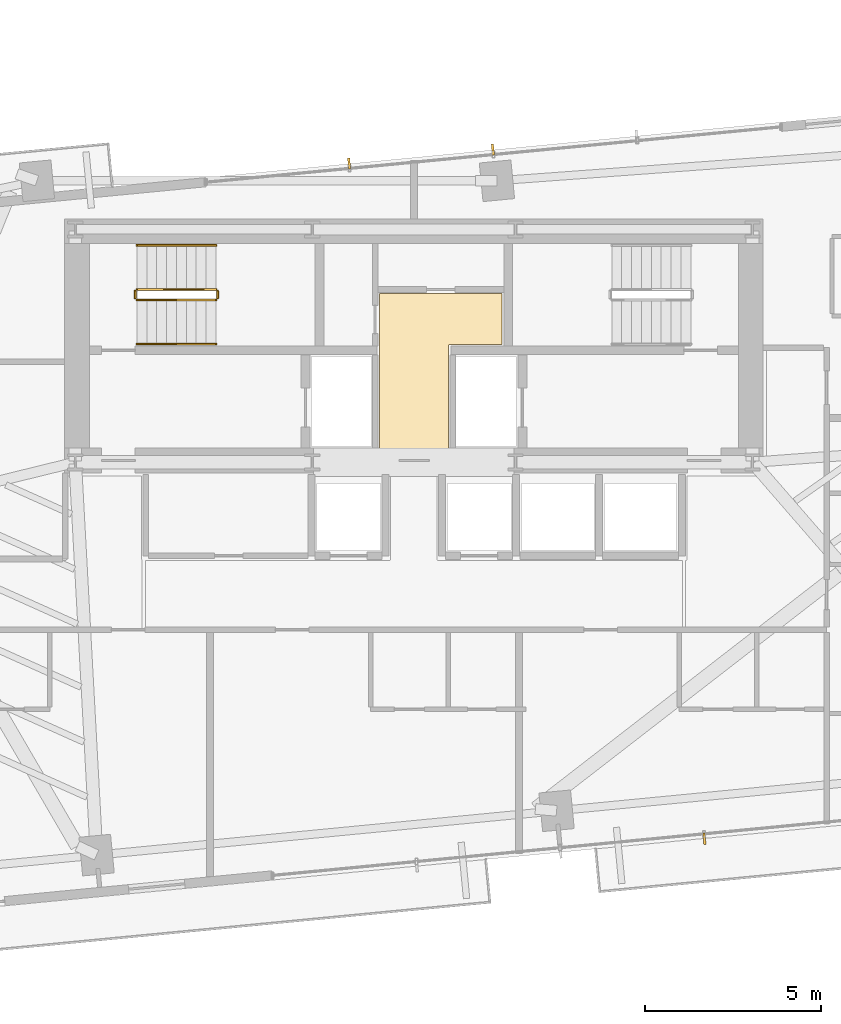
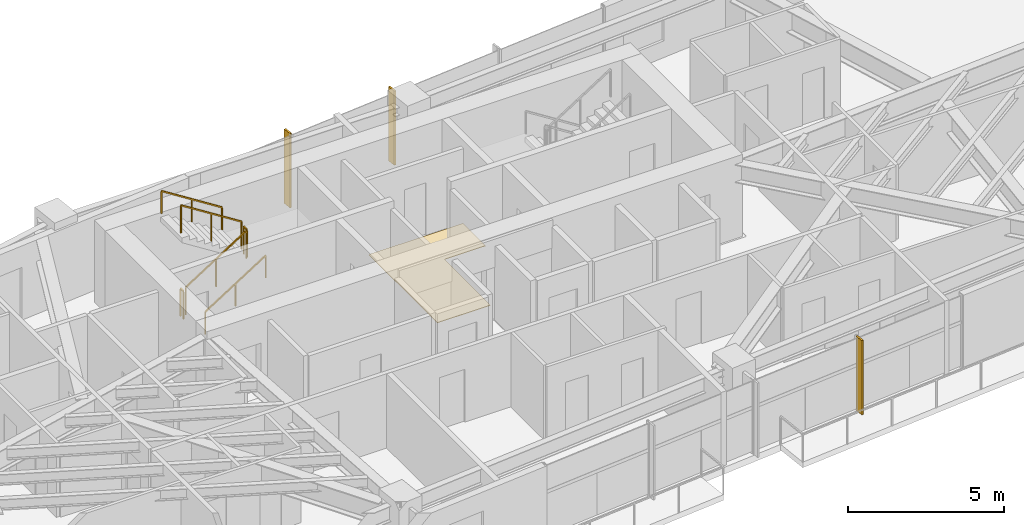
# One storey, part 26 of 27: 6 railings, 3 shading devices, 1 covering.
"""IFC4 building model written with IfcOpenShell, lengths in metres."""

from ifc_helpers import new_model, si_unit, direction, frame, origin, origin_2d, place, context, subcontext, project, spatial, polyline, rectangle, outline, extrude, source, transform, mapped, material, layer, layer_set, type_object, type_shapes, element, save


model = new_model("IFC4")

# Units and contexts
model_context = context("Model", 3, precision=1e-05, world=origin(), true_north=direction((0.0, 1.0)))
body_context = subcontext(model_context, "Body", "Model", "MODEL_VIEW")
ifc_project = project(units=[si_unit("LENGTHUNIT", "METRE"), si_unit("AREAUNIT", "SQUARE_METRE"), si_unit("VOLUMEUNIT", "CUBIC_METRE"), si_unit("PLANEANGLEUNIT", "RADIAN"), si_unit("MASSUNIT", "GRAM", prefix="KILO")], contexts=[model_context])

# Site, building, storey
site_placement = place(None, origin())
site = spatial("IfcSite", under=ifc_project, at=site_placement, CompositionType="ELEMENT")
building_placement = place(site_placement, origin())
building = spatial("IfcBuilding", under=site, at=building_placement, Name="Astriad Promenade Condominiums", CompositionType="ELEMENT")
storey_placement = place(building_placement, frame((0.0, 0.0, 116.199951171875)))
storey = spatial("IfcBuildingStorey", under=building, at=storey_placement, Name="L33", CompositionType="ELEMENT", Elevation=116.199951171875)

# Covering
ifc_material_1 = material(Name="Polished Lakefront Terrazzo Flooring")
ifc_layer = layer(ifc_material_1, 0.02001953125)
ifc_layer_set = layer_set([ifc_layer], Name="Polished Lakefront Terrazzo Flooring")
covering_type = type_object("IfcCoveringType", Name="COV-FLOR-TERRAZZO-20", PredefinedType="FLOORING", material=ifc_layer_set)
covering_placement = place(storey_placement, origin())
element("IfcCovering", 1, at=covering_placement, inside=storey, type_object=covering_type, Name="FLR-L33-CSL", PredefinedType="FLOORING", context=body_context, shape_type="SweptSolid", body=[
    extrude(outline(polyline([(36.97998046875, 20.699951171875), (36.97998046875, 17.7900390625), (35.02001953125, 17.7900390625), (35.02001953125, 22.179931640625), (38.5, 22.179931640625), (38.5, 20.739990234375), (37.02001953125, 20.739990234375), (37.01611328125, 20.73974609375), (37.01220703125, 20.7392578125), (37.00830078125, 20.73828125), (37.004638671875, 20.737060546875), (37.001220703125, 20.7353515625), (36.997802734375, 20.7333984375), (36.99462890625, 20.73095703125), (36.99169921875, 20.728271484375), (36.989013671875, 20.725341796875), (36.98681640625, 20.72216796875), (36.984619140625, 20.718994140625), (36.98291015625, 20.71533203125), (36.981689453125, 20.711669921875), (36.980712890625, 20.707763671875), (36.980224609375, 20.703857421875), (36.97998046875, 20.699951171875)])), origin(), (0.0, 0.0, 1.0), 0.02001953125),
])

# Shading devices
ifc_material_2 = material(Name="Anodised aluminium 6063-T6 Black Fin", Category="aluminium")
shading_device_type = type_object("IfcShadingDeviceType", Name="FIN-BLACK-320", PredefinedType="USERDEFINED", material=ifc_material_2)
shared_shape_1 = source(origin(), body_context, "Body", "SweptSolid", [
    extrude(rectangle(XDim=0.06494140625, YDim=0.320068359375, at=origin_2d()), origin(), (0.0, 0.0, 1.0), 2.89990234375),
])
type_shapes(shading_device_type, [shared_shape_1])
for number, where, z_axis, x_axis, name in (
    (2, (34.164306640625, 25.87158203125, 0.0), (0.0, 0.0, 1.0), (0.995396198367, 0.09584575252, 0.0), "CW-L33-N-FIN-01"),
    (3, (38.240478515625, 26.263916015625, 0.0), (0.0, 0.0, 1.0), (0.995396198367, 0.09584575252, 0.0), "CW-L33-N-FIN-02"),
    (4, (44.235595703125, 6.728515625, 0.0), (0.0, 0.0, 1.0), (-0.995396198367, -0.09584575252, 0.0), "CW-L33-S-FIN-01"),
):
    element("IfcShadingDevice", number, at=place(storey_placement, frame(where, z_axis=z_axis, x_axis=x_axis)), inside=storey, type_object=shading_device_type, Name=name, ObjectType="FIN", PredefinedType="USERDEFINED", context=body_context, shape_type="MappedRepresentation", body=[
        mapped(shared_shape_1, transform((0.0, 0.0, 0.0), scale=1.0)),
    ])

# Railings
ifc_material_3 = material(Name="Painted Galvanised Steel Guardrail", Category="steel")
railing_type_1 = type_object("IfcRailingType", Name="GRD-STAIR-1100", PredefinedType="GUARDRAIL", material=ifc_material_3)
shared_shape_2 = source(origin(), body_context, "Body", "SweptSolid", [
    extrude(rectangle(XDim=0.048095703125, YDim=0.048095703125, at=origin_2d()), frame((0.0, 0.0, 1.076171875), z_axis=(0.0, 1.0, 0.0), x_axis=(-1.0, 0.0, 0.0)), (0.0, 0.0, 1.0), 0.199951171875),
    extrude(rectangle(XDim=0.0419921875, YDim=0.0419921875, at=origin_2d()), origin(), (0.0, 0.0, 1.0), 1.052001953125),
    extrude(rectangle(XDim=0.0419921875, YDim=0.0419921875, at=origin_2d()), frame((0.0, 0.199951171875, 0.0)), (0.0, 0.0, 1.0), 1.052001953125),
])
for number, where, name in (
    (5, (30.43994140625, 22.050048828125, 1.60009765625), "L33 ST-1 stair guard 2"),
    (6, (28.10009765625, 22.050048828125, 0.0), "L33 ST-1 stair guard 4"),
):
    element("IfcRailing", number, at=place(storey_placement, frame(where)), inside=storey, type_object=railing_type_1, Name=name, PredefinedType="GUARDRAIL", context=body_context, shape_type="MappedRepresentation", body=[
        mapped(shared_shape_2, transform((0.0, 0.0, 0.0), scale=1.0)),
    ])
shared_shape_3 = source(origin(), body_context, "Body", "SweptSolid", [
    extrude(rectangle(XDim=0.048095703125, YDim=0.048095703125, at=origin_2d()), frame((0.0, 0.0, 1.076171875), z_axis=(0.84418770128, 0.0, 0.536047689118), x_axis=(0.0, 1.0, 0.0)), (0.0, 0.0, 1.0), 2.6533203125),
    extrude(rectangle(XDim=0.0419921875, YDim=0.0419921875, at=origin_2d()), origin(), (0.0, 0.0, 1.0), 1.052001953125),
    extrude(rectangle(XDim=0.0419921875, YDim=0.0419921875, at=origin_2d()), frame((1.1201171875, 0.0, 0.711181640625)), (0.0, 0.0, 1.0), 1.052001953125),
    extrude(rectangle(XDim=0.0419921875, YDim=0.0419921875, at=origin_2d()), frame((2.239990234375, 0.0, 1.42236328125)), (0.0, 0.0, 1.0), 1.052001953125),
])
railing_1_placement = place(storey_placement, frame((28.14990234375, 22.0, 0.177734375)))
element("IfcRailing", 7, at=railing_1_placement, inside=storey, type_object=railing_type_1, Name="L33 ST-1 stair guard 1", PredefinedType="GUARDRAIL", context=body_context, shape_type="MappedRepresentation", body=[
    mapped(shared_shape_3, transform((0.0, 0.0, 0.0), scale=1.0)),
])
shared_shape_4 = source(origin(), body_context, "Body", "SweptSolid", [
    extrude(rectangle(XDim=0.048095703125, YDim=0.048095703125, at=origin_2d()), frame((0.0, 0.0, 1.076171875), z_axis=(-0.8442293374, 0.0, 0.53598211339), x_axis=(0.0, -1.0, 0.0)), (0.0, 0.0, 1.0), 2.6533203125),
    extrude(rectangle(XDim=0.0419921875, YDim=0.0419921875, at=origin_2d()), origin(), (0.0, 0.0, 1.0), 1.052001953125),
    extrude(rectangle(XDim=0.0419921875, YDim=0.0419921875, at=origin_2d()), frame((-1.1201171875, 0.0, 0.7109375)), (0.0, 0.0, 1.0), 1.052001953125),
    extrude(rectangle(XDim=0.0419921875, YDim=0.0419921875, at=origin_2d()), frame((-2.239990234375, 0.0, 1.422119140625)), (0.0, 0.0, 1.0), 1.052001953125),
])
type_shapes(railing_type_1, [shared_shape_2, shared_shape_3, shared_shape_4])
railing_2_placement = place(storey_placement, frame((30.389892578125, 22.300048828125, 1.77783203125)))
element("IfcRailing", 8, at=railing_2_placement, inside=storey, type_object=railing_type_1, Name="L33 ST-1 stair guard 3", PredefinedType="GUARDRAIL", context=body_context, shape_type="MappedRepresentation", body=[
    mapped(shared_shape_4, transform((0.0, 0.0, 0.0), scale=1.0)),
])
ifc_material_4 = material(Name="Brushed Stainless Steel Handrail", Category="steel")
railing_type_2 = type_object("IfcRailingType", Name="HRL-STAIR-920", PredefinedType="HANDRAIL", material=ifc_material_4)
shared_shape_5 = source(origin(), body_context, "Body", "SweptSolid", [
    extrude(rectangle(XDim=0.048095703125, YDim=0.048095703125, at=origin_2d()), frame((0.0, 0.0, 0.8759765625), z_axis=(0.84418770128, 0.0, 0.536047689118), x_axis=(0.0, 1.0, 0.0)), (0.0, 0.0, 1.0), 2.6533203125),
    extrude(rectangle(XDim=0.0419921875, YDim=0.0419921875, at=origin_2d()), origin(), (0.0, 0.0, 1.0), 0.851806640625),
    extrude(rectangle(XDim=0.0419921875, YDim=0.0419921875, at=origin_2d()), frame((1.1201171875, 0.0, 0.711181640625)), (0.0, 0.0, 1.0), 0.851806640625),
    extrude(rectangle(XDim=0.0419921875, YDim=0.0419921875, at=origin_2d()), frame((2.239990234375, 0.0, 1.42236328125)), (0.0, 0.0, 1.0), 0.851806640625),
])
railing_3_placement = place(storey_placement, frame((28.14990234375, 20.75, 0.177734375)))
element("IfcRailing", 9, at=railing_3_placement, inside=storey, type_object=railing_type_2, Name="L33 ST-1 stair handrail 1", PredefinedType="HANDRAIL", context=body_context, shape_type="MappedRepresentation", body=[
    mapped(shared_shape_5, transform((0.0, 0.0, 0.0), scale=1.0)),
])
shared_shape_6 = source(origin(), body_context, "Body", "SweptSolid", [
    extrude(rectangle(XDim=0.048095703125, YDim=0.048095703125, at=origin_2d()), frame((0.0, 0.0, 0.8759765625), z_axis=(-0.8442293374, 0.0, 0.53598211339), x_axis=(0.0, -1.0, 0.0)), (0.0, 0.0, 1.0), 2.6533203125),
    extrude(rectangle(XDim=0.0419921875, YDim=0.0419921875, at=origin_2d()), origin(), (0.0, 0.0, 1.0), 0.851806640625),
    extrude(rectangle(XDim=0.0419921875, YDim=0.0419921875, at=origin_2d()), frame((-1.1201171875, 0.0, 0.7109375)), (0.0, 0.0, 1.0), 0.851806640625),
    extrude(rectangle(XDim=0.0419921875, YDim=0.0419921875, at=origin_2d()), frame((-2.239990234375, 0.0, 1.422119140625)), (0.0, 0.0, 1.0), 0.851806640625),
])
type_shapes(railing_type_2, [shared_shape_5, shared_shape_6])
railing_4_placement = place(storey_placement, frame((30.389892578125, 23.550048828125, 1.77783203125)))
element("IfcRailing", 10, at=railing_4_placement, inside=storey, type_object=railing_type_2, Name="L33 ST-1 stair handrail 2", PredefinedType="HANDRAIL", context=body_context, shape_type="MappedRepresentation", body=[
    mapped(shared_shape_6, transform((0.0, 0.0, 0.0), scale=1.0)),
])

save(model, "model.ifc")
